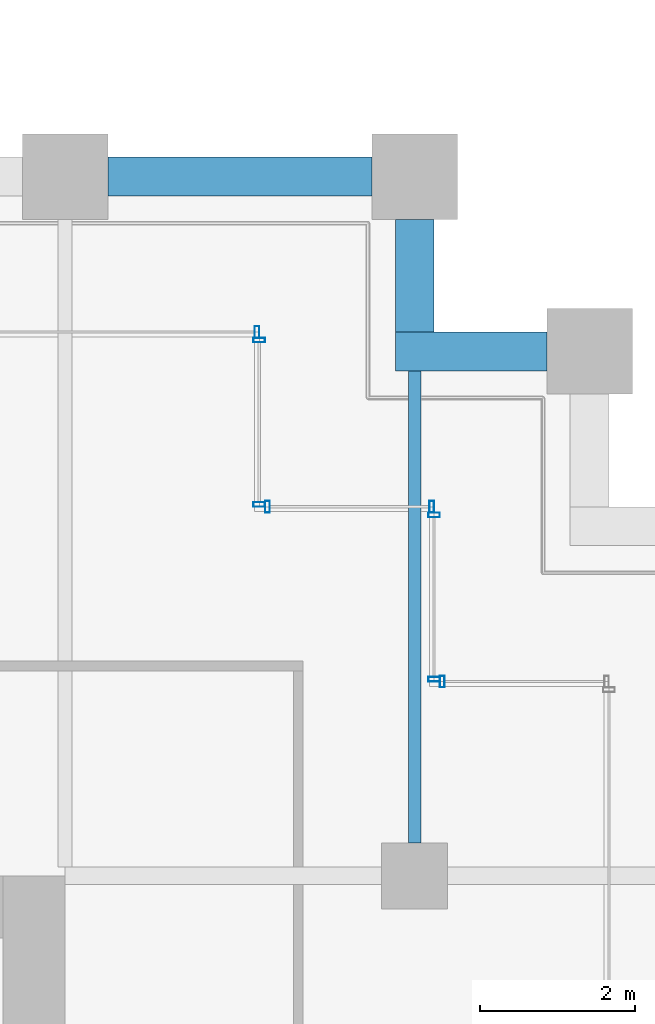
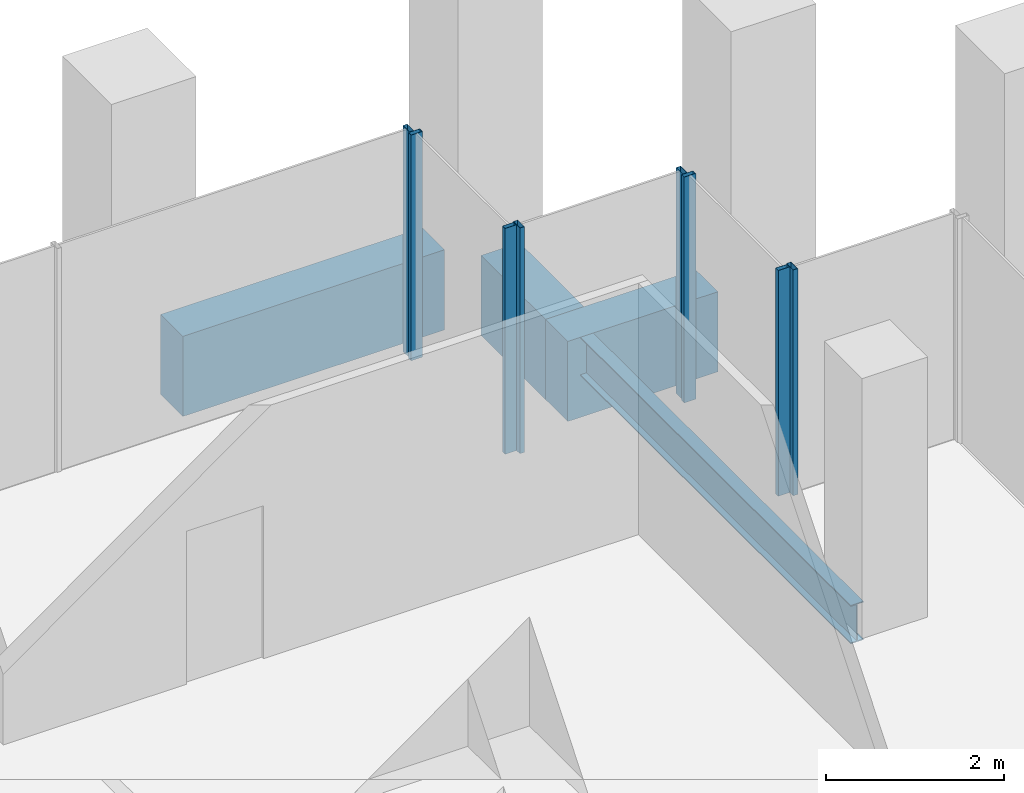
# One storey, part 45 of 56: 8 members, 4 beams, 5 elements without a shape of their own.
"""IFC4 building model written with IfcOpenShell, lengths in metres."""

from ifc_helpers import new_model, si_unit, direction, frame, origin, origin_2d, place, context, subcontext, project, spatial, rectangle, hollow_rectangle, i_section, extrude, material, material_profile, profile_set, type_object, element, aggregate, save


model = new_model("IFC4")

# Units and contexts
model_context = context("Model", 3, precision=1e-05, world=origin(), true_north=direction((0.0, 1.0)))
body_context = subcontext(model_context, "Body", "Model", "MODEL_VIEW")
ifc_project = project(units=[si_unit("LENGTHUNIT", "METRE"), si_unit("AREAUNIT", "SQUARE_METRE"), si_unit("VOLUMEUNIT", "CUBIC_METRE"), si_unit("PLANEANGLEUNIT", "RADIAN"), si_unit("MASSUNIT", "GRAM", prefix="KILO")], contexts=[model_context])

# Site, building, storey
site_placement = place(None, origin())
site = spatial("IfcSite", under=ifc_project, at=site_placement, CompositionType="ELEMENT")
building_placement = place(site_placement, origin())
building = spatial("IfcBuilding", under=site, at=building_placement, Name="Altepetl Exchange Towers", CompositionType="ELEMENT")
storey_placement = place(building_placement, frame((0.0, 0.0, 79.800048828125)))
storey = spatial("IfcBuildingStorey", under=building, at=storey_placement, Name="L19", CompositionType="ELEMENT", Elevation=79.800048828125)

# Beam
ifc_material_1 = material(Name="Steel S355", Category="steel")
ifc_material_profile_1 = material_profile(ifc_material_1, i_section(OverallWidth=0.166015625, OverallDepth=0.529052734375, WebThickness=0.009765625, FlangeThickness=0.013671875, at=origin_2d()), Name="W21X50")
ifc_profile_set_1 = profile_set([ifc_material_profile_1], Name="Steel S355")
beam_type_1 = type_object("IfcBeamType", Name="Floor beam W21X50", PredefinedType="BEAM", material=ifc_profile_set_1)
beam_1_placement = place(storey_placement, frame((121.5, 49.925048828125, -0.41455078125), z_axis=(0.0, 1.0, 0.0), x_axis=(-1.0, 0.0, 0.0)))
element("IfcBeam", 1, at=beam_1_placement, inside=storey, type_object=beam_type_1, Name="bm:B:L19:003", PredefinedType="BEAM", context=body_context, shape_type="SweptSolid", body=[
    extrude(i_section(OverallWidth=0.166015625, OverallDepth=0.529052734375, WebThickness=0.009765625, FlangeThickness=0.013671875, at=origin_2d()), origin(), (0.0, 0.0, 1.0), 6.074951171875),
])

# Curtain wall, member
ifc_material_2 = material(Name="Aluminium 6063-T6 glazing", Category="aluminium")
curtain_wall_type = type_object("IfcCurtainWallType", Name="Loggia glazing system", PredefinedType="NOTDEFINED", material=ifc_material_2)
curtain_wall_1_placement = place(storey_placement, origin())
curtain_wall_1 = element("IfcCurtainWall", 2, at=curtain_wall_1_placement, inside=storey, type_object=curtain_wall_type, Name="CW1 run", PredefinedType="NOTDEFINED")
ifc_material_3 = material(Name="Aluminium 6063-T6", Category="aluminium")
ifc_material_profile_2 = material_profile(ifc_material_3, hollow_rectangle(XDim=0.06005859375, YDim=0.14990234375, WallThickness=0.0029296875, at=origin_2d()), Name="Mullion 60x150 aluminium")
ifc_profile_set_2 = profile_set([ifc_material_profile_2], Name="Aluminium 6063-T6")
member_type = type_object("IfcMemberType", Name="Mullion 60x150 aluminium", PredefinedType="MULLION", material=ifc_profile_set_2)
member_1_placement = place(storey_placement, frame((121.85498046875, 52.0, 0.0), z_axis=(0.0, 0.0, 1.0), x_axis=(-1.0, 0.0, 0.0)))
member_1 = element("IfcMember", 3, at=member_1_placement, type_object=member_type, Name="MU1 mullion", PredefinedType="MULLION", context=body_context, shape_type="SweptSolid", body=[
    extrude(hollow_rectangle(XDim=0.06005859375, YDim=0.14990234375, WallThickness=0.0029296875, at=origin_2d()), origin(), (0.0, 0.0, 1.0), 3.099853515625),
])
aggregate(curtain_wall_1, [member_1])

# Curtain wall, members
curtain_wall_2_placement = place(storey_placement, origin())
curtain_wall_2 = element("IfcCurtainWall", 4, at=curtain_wall_2_placement, inside=storey, type_object=curtain_wall_type, Name="CW1 run", PredefinedType="NOTDEFINED")
member_2_placement = place(storey_placement, frame((121.75, 52.030029296875, 0.0), z_axis=(0.0, 0.0, 1.0), x_axis=(0.0, 1.0, 0.0)))
member_2 = element("IfcMember", 5, at=member_2_placement, type_object=member_type, Name="MU1 mullion", PredefinedType="MULLION", context=body_context, shape_type="SweptSolid", body=[
    extrude(hollow_rectangle(XDim=0.06005859375, YDim=0.14990234375, WallThickness=0.0029296875, at=origin_2d()), origin(), (0.0, 0.0, 1.0), 3.099853515625),
])
member_3_placement = place(storey_placement, frame((121.75, 54.14501953125, 0.0), z_axis=(0.0, 0.0, 1.0), x_axis=(0.0, 1.0, 0.0)))
member_3 = element("IfcMember", 6, at=member_3_placement, type_object=member_type, Name="MU1 mullion", PredefinedType="MULLION", context=body_context, shape_type="SweptSolid", body=[
    extrude(hollow_rectangle(XDim=0.06005859375, YDim=0.14990234375, WallThickness=0.0029296875, at=origin_2d()), origin(), (0.0, 0.0, 1.0), 3.099853515625),
])
aggregate(curtain_wall_2, [member_2, member_3])

curtain_wall_3_placement = place(storey_placement, origin())
curtain_wall_3 = element("IfcCurtainWall", 7, at=curtain_wall_3_placement, inside=storey, type_object=curtain_wall_type, Name="CW1 run", PredefinedType="NOTDEFINED")
member_4_placement = place(storey_placement, frame((121.719970703125, 54.25, 0.0), z_axis=(0.0, 0.0, 1.0), x_axis=(-1.0, 0.0, 0.0)))
member_4 = element("IfcMember", 8, at=member_4_placement, type_object=member_type, Name="MU1 mullion", PredefinedType="MULLION", context=body_context, shape_type="SweptSolid", body=[
    extrude(hollow_rectangle(XDim=0.06005859375, YDim=0.14990234375, WallThickness=0.0029296875, at=origin_2d()), origin(), (0.0, 0.0, 1.0), 3.099853515625),
])
member_5_placement = place(storey_placement, frame((119.60498046875, 54.25, 0.0), z_axis=(0.0, 0.0, 1.0), x_axis=(-1.0, 0.0, 0.0)))
member_5 = element("IfcMember", 9, at=member_5_placement, type_object=member_type, Name="MU1 mullion", PredefinedType="MULLION", context=body_context, shape_type="SweptSolid", body=[
    extrude(hollow_rectangle(XDim=0.06005859375, YDim=0.14990234375, WallThickness=0.0029296875, at=origin_2d()), origin(), (0.0, 0.0, 1.0), 3.099853515625),
])
aggregate(curtain_wall_3, [member_4, member_5])

curtain_wall_4_placement = place(storey_placement, origin())
curtain_wall_4 = element("IfcCurtainWall", 10, at=curtain_wall_4_placement, inside=storey, type_object=curtain_wall_type, Name="CW1 run", PredefinedType="NOTDEFINED")
member_6_placement = place(storey_placement, frame((119.5, 54.280029296875, 0.0), z_axis=(0.0, 0.0, 1.0), x_axis=(0.0, 1.0, 0.0)))
member_6 = element("IfcMember", 11, at=member_6_placement, type_object=member_type, Name="MU1 mullion", PredefinedType="MULLION", context=body_context, shape_type="SweptSolid", body=[
    extrude(hollow_rectangle(XDim=0.06005859375, YDim=0.14990234375, WallThickness=0.0029296875, at=origin_2d()), origin(), (0.0, 0.0, 1.0), 3.099853515625),
])
member_7_placement = place(storey_placement, frame((119.5, 56.39501953125, 0.0), z_axis=(0.0, 0.0, 1.0), x_axis=(0.0, 1.0, 0.0)))
member_7 = element("IfcMember", 12, at=member_7_placement, type_object=member_type, Name="MU1 mullion", PredefinedType="MULLION", context=body_context, shape_type="SweptSolid", body=[
    extrude(hollow_rectangle(XDim=0.06005859375, YDim=0.14990234375, WallThickness=0.0029296875, at=origin_2d()), origin(), (0.0, 0.0, 1.0), 3.099853515625),
])
aggregate(curtain_wall_4, [member_6, member_7])

# Curtain wall, member
curtain_wall_5_placement = place(storey_placement, origin())
curtain_wall_5 = element("IfcCurtainWall", 13, at=curtain_wall_5_placement, inside=storey, type_object=curtain_wall_type, Name="CW1 run", PredefinedType="NOTDEFINED")
member_8_placement = place(storey_placement, frame((119.469970703125, 56.5, 0.0), z_axis=(0.0, 0.0, 1.0), x_axis=(-1.0, 0.0, 0.0)))
member_8 = element("IfcMember", 14, at=member_8_placement, type_object=member_type, Name="MU1 mullion", PredefinedType="MULLION", context=body_context, shape_type="SweptSolid", body=[
    extrude(hollow_rectangle(XDim=0.06005859375, YDim=0.14990234375, WallThickness=0.0029296875, at=origin_2d()), origin(), (0.0, 0.0, 1.0), 3.099853515625),
])
aggregate(curtain_wall_5, [member_8])

# Beams
ifc_material_4 = material(Name="Concrete C50/60 precast with cantera amarilla facing", Category="concrete")
ifc_material_profile_3 = material_profile(ifc_material_4, rectangle(XDim=0.5, YDim=1.10009765625, at=origin_2d()), Name="500 x 1100")
ifc_profile_set_3 = profile_set([ifc_material_profile_3], Name="Concrete C50/60 precast with cantera amarilla facing")
beam_type_2 = type_object("IfcBeamType", Name="Spandrel beam 500x1100 cantera amarilla", PredefinedType="SPANDREL", material=ifc_profile_set_3)
beam_2_placement = place(storey_placement, frame((123.199951171875, 56.25, -0.699951171875), z_axis=(-1.0, 0.0, 0.0), x_axis=(0.0, -1.0, 0.0)))
element("IfcBeam", 15, at=beam_2_placement, inside=storey, type_object=beam_type_2, Name="sp:B:L19:016", PredefinedType="SPANDREL", context=body_context, shape_type="SweptSolid", body=[
    extrude(rectangle(XDim=0.5, YDim=1.10009765625, at=origin_2d()), origin(), (0.0, 0.0, 1.0), 1.949951171875),
])
beam_3_placement = place(storey_placement, frame((121.5, 56.5, -0.699951171875), z_axis=(0.0, 1.0, 0.0), x_axis=(-1.0, 0.0, 0.0)))
element("IfcBeam", 16, at=beam_3_placement, inside=storey, type_object=beam_type_2, Name="sp:B:L19:017", PredefinedType="SPANDREL", context=body_context, shape_type="SweptSolid", body=[
    extrude(rectangle(XDim=0.5, YDim=1.10009765625, at=origin_2d()), origin(), (0.0, 0.0, 1.0), 1.449951171875),
])
beam_4_placement = place(storey_placement, frame((120.949951171875, 58.5, -0.699951171875), z_axis=(-1.0, 0.0, 0.0), x_axis=(0.0, -1.0, 0.0)))
element("IfcBeam", 17, at=beam_4_placement, inside=storey, type_object=beam_type_2, Name="sp:B:L19:018", PredefinedType="SPANDREL", context=body_context, shape_type="SweptSolid", body=[
    extrude(rectangle(XDim=0.5, YDim=1.10009765625, at=origin_2d()), origin(), (0.0, 0.0, 1.0), 3.39990234375),
])

save(model, "model.ifc")
